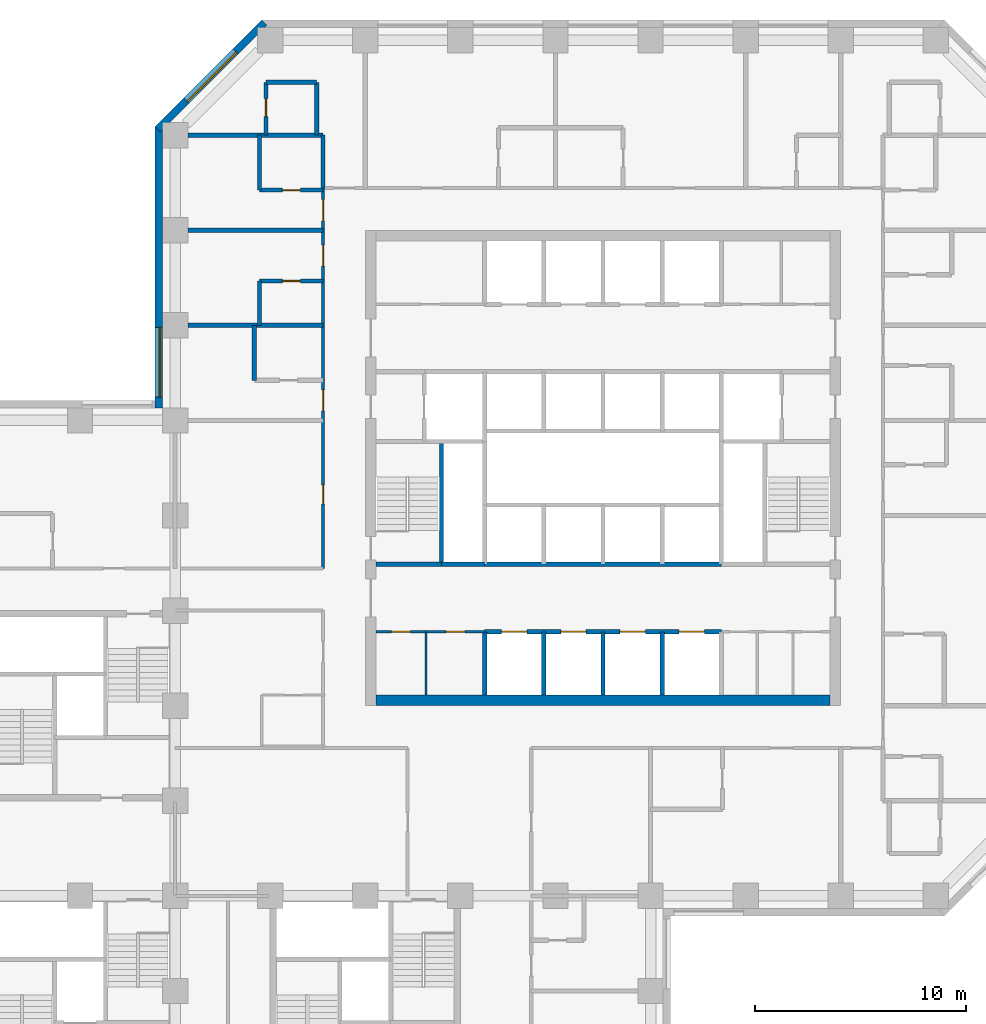
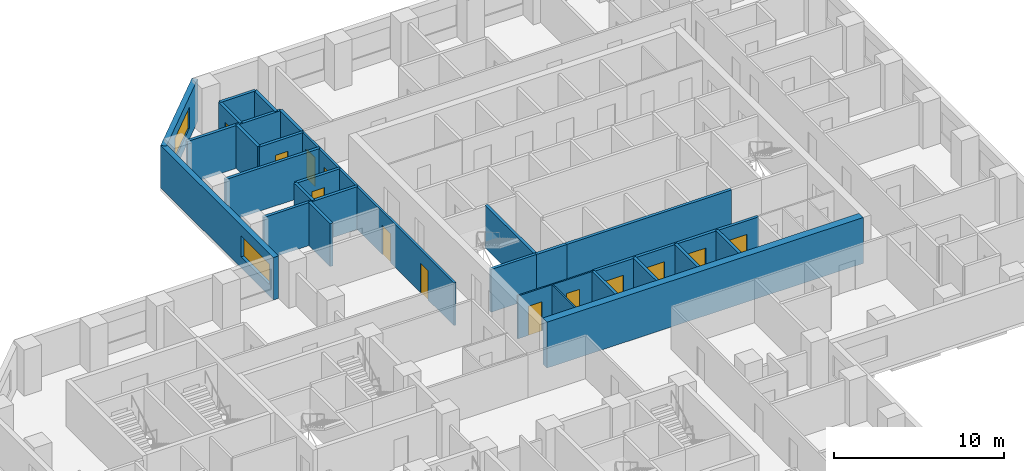
# One storey, part 7 of 12: 27 walls, 13 doors, 2 windows, 15 openings.
"""IFC4 building model written with IfcOpenShell, lengths in metres."""

from ifc_helpers import new_model, si_unit, direction, frame, frame_2d, origin, place, context, subcontext, project, spatial, rectangle, extrude, material, layer, layer_set, constituent, constituent_set, type_object, element, fill, save


model = new_model("IFC4")

# Units and contexts
model_context = context("Model", 3, precision=1e-05, world=origin(), true_north=direction((0.0, 1.0)))
body_context = subcontext(model_context, "Body", "Model", "MODEL_VIEW")
ifc_project = project(units=[si_unit("LENGTHUNIT", "METRE"), si_unit("AREAUNIT", "SQUARE_METRE"), si_unit("VOLUMEUNIT", "CUBIC_METRE"), si_unit("PLANEANGLEUNIT", "RADIAN"), si_unit("MASSUNIT", "GRAM", prefix="KILO")], contexts=[model_context])

# Site, building, storey
site_placement = place(None, origin())
site = spatial("IfcSite", under=ifc_project, at=site_placement, CompositionType="ELEMENT")
building_placement = place(site_placement, origin())
building = spatial("IfcBuilding", under=site, at=building_placement, Name="Quoin Convention Tower", CompositionType="ELEMENT")
storey_placement = place(building_placement, frame((0.0, 0.0, 29.699951171875)))
storey = spatial("IfcBuildingStorey", under=building, at=storey_placement, Name="L06", CompositionType="ELEMENT", Elevation=29.699951171875)

# Wall, opening, window
ifc_material_1 = material(Name="Brick masonry", Category="masonry")
ifc_layer_1 = layer(ifc_material_1, 0.35009765625)
ifc_layer_set_1 = layer_set([ifc_layer_1], Name="Brick masonry")
wall_type_1 = type_object("IfcWallType", Name="Brick facade wall", PredefinedType="STANDARD", material=ifc_layer_set_1)
wall_1_placement = place(storey_placement, frame((40.230224609375, 81.826416015625, 0.0), z_axis=(0.0, 0.0, 1.0), x_axis=(-0.707106781187, -0.707106781187, 0.0)))
wall_1 = element("IfcWall", 1, at=wall_1_placement, inside=storey, type_object=wall_type_1, Name="fw-L06-40500_81000", PredefinedType="STANDARD", context=body_context, shape_type="SweptSolid", body=[
    extrude(rectangle(XDim=7.151123046875, YDim=0.35009765625, at=frame_2d((3.57568359375, 0.0))), origin(), (0.0, 0.0, 1.0), 3.054931640625),
])
opening_1_placement = place(wall_1_placement, frame((1.925537109375, 0.0, 0.800048828125)))
opening_1 = element("IfcOpeningElement", 2, at=opening_1_placement, cuts=wall_1, Name="Opening W-01", PredefinedType="OPENING", context=body_context, shape_type="SweptSolid", body=[
    extrude(rectangle(XDim=3.300048828125, YDim=1.5, at=frame_2d((1.64990234375, 0.75))), frame((0.0, 0.18505859375, 0.0), z_axis=(0.0, -1.0, 0.0), x_axis=(1.0, 0.0, 0.0)), (0.0, 0.0, 1.0), 0.3701171875),
])
ifc_material_2 = material(Name="Aluminium", Category="aluminium")
ifc_constituent_1 = constituent(ifc_material_2, Name="Frame")
ifc_material_3 = material(Name="Insulated glass", Category="glass")
ifc_constituent_2 = constituent(ifc_material_3, Name="Glazing")
ifc_constituent_set = constituent_set(constituents=[ifc_constituent_1, ifc_constituent_2], Name="Aluminium")
window_type = type_object("IfcWindowType", Name="Hotel strip window", PartitioningType="DOUBLE_PANEL_VERTICAL", PredefinedType="WINDOW", material=ifc_constituent_set)
window_1_placement = place(opening_1_placement, origin())
window_1 = element("IfcWindow", 3, at=window_1_placement, inside=storey, type_object=window_type, Name="win-L06-37702_79298", OverallHeight=1.5, OverallWidth=3.300048828125, PartitioningType="SINGLE_PANEL", PredefinedType="WINDOW", context=body_context, shape_type="SweptSolid", body=[
    extrude(rectangle(XDim=3.300048828125, YDim=1.5, at=frame_2d((1.64990234375, 0.75))), frame((0.0, 0.0849609375, 0.0), z_axis=(0.0, -1.0, 0.0), x_axis=(1.0, 0.0, 0.0)), (0.0, 0.0, 1.0), 0.06005859375),
])
fill(opening_1, window_1)

wall_2_placement = place(storey_placement, frame((35.22509765625, 76.8935546875, 0.0), z_axis=(0.0, 0.0, 1.0), x_axis=(0.0, -1.0, 0.0)))
wall_2 = element("IfcWall", 4, at=wall_2_placement, inside=storey, type_object=wall_type_1, Name="fw-L06-36000_76500", PredefinedType="STANDARD", context=body_context, shape_type="SweptSolid", body=[
    extrude(rectangle(XDim=13.29345703125, YDim=0.35009765625, at=frame_2d((6.646728515625, 0.0))), origin(), (0.0, 0.0, 1.0), 3.054931640625),
])
opening_2_placement = place(wall_2_placement, frame((9.493408203125, 0.0, 0.800048828125)))
opening_2 = element("IfcOpeningElement", 5, at=opening_2_placement, cuts=wall_2, Name="Opening W-01", PredefinedType="OPENING", context=body_context, shape_type="SweptSolid", body=[
    extrude(rectangle(XDim=3.300048828125, YDim=1.5, at=frame_2d((1.64990234375, 0.75))), frame((0.0, 0.18505859375, 0.0), z_axis=(0.0, -1.0, 0.0), x_axis=(1.0, 0.0, 0.0)), (0.0, 0.0, 1.0), 0.3701171875),
])
window_2_placement = place(opening_2_placement, origin())
window_2 = element("IfcWindow", 6, at=window_2_placement, inside=storey, type_object=window_type, Name="win-L06-35225_65250", OverallHeight=1.5, OverallWidth=3.300048828125, PartitioningType="SINGLE_PANEL", PredefinedType="WINDOW", context=body_context, shape_type="SweptSolid", body=[
    extrude(rectangle(XDim=3.300048828125, YDim=1.5, at=frame_2d((1.64990234375, 0.75))), frame((0.0, 0.0849609375, 0.0), z_axis=(0.0, -1.0, 0.0), x_axis=(1.0, 0.0, 0.0)), (0.0, 0.0, 1.0), 0.06005859375),
])
fill(opening_2, window_2)

# Wall, openings, doors
ifc_material_4 = material(Name="Plasterboard")
ifc_layer_2 = layer(ifc_material_4, 0.012451171875, Name="Finish")
ifc_material_5 = material(Name="Steel stud framing", Category="steel")
ifc_layer_3 = layer(ifc_material_5, 0.074951171875, Name="Structure")
ifc_layer_4 = layer(ifc_material_4, 0.012451171875, Name="Finish")
ifc_layer_set_2 = layer_set([ifc_layer_2, ifc_layer_3, ifc_layer_4], Name="Steel stud framing")
wall_type_2 = type_object("IfcWallType", Name="Core partition wall", PredefinedType="PARTITIONING", material=ifc_layer_set_2)
wall_3_placement = place(storey_placement, frame((45.5, 53.0, 0.0), z_axis=(0.0, 0.0, 1.0), x_axis=(1.0, 0.0, 0.0)))
wall_3 = element("IfcWall", 7, at=wall_3_placement, inside=storey, type_object=wall_type_2, Name="cr-C1-L06-h3500_500", PredefinedType="PARTITIONING", context=body_context, shape_type="SweptSolid", body=[
    extrude(rectangle(XDim=5.14990234375, YDim=0.10009765625, at=frame_2d((2.574951171875, 0.0))), origin(), (0.0, 0.0, 1.0), 3.080078125),
])
opening_3_placement = place(wall_3_placement, frame((0.734619140625, 0.0, 0.0)))
opening_3 = element("IfcOpeningElement", 8, at=opening_3_placement, cuts=wall_3, Name="Opening DCV2-35", PredefinedType="OPENING", context=body_context, shape_type="SweptSolid", body=[
    extrude(rectangle(XDim=0.89990234375, YDim=2.10009765625, at=frame_2d((0.449951171875, 1.050048828125))), frame((0.0, 0.06005859375, 0.0), z_axis=(0.0, -1.0, 0.0), x_axis=(1.0, 0.0, 0.0)), (0.0, 0.0, 1.0), 0.1201171875),
])
opening_4_placement = place(wall_3_placement, frame((3.3095703125, 0.0, 0.0)))
opening_4 = element("IfcOpeningElement", 9, at=opening_4_placement, cuts=wall_3, Name="Opening DCV2-36", PredefinedType="OPENING", context=body_context, shape_type="SweptSolid", body=[
    extrude(rectangle(XDim=0.89990234375, YDim=2.10009765625, at=frame_2d((0.449951171875, 1.050048828125))), frame((0.0, 0.06005859375, 0.0), z_axis=(0.0, -1.0, 0.0), x_axis=(1.0, 0.0, 0.0)), (0.0, 0.0, 1.0), 0.1201171875),
])
ifc_material_6 = material(Name="Steel door leaf", Category="steel")
door_type_1 = type_object("IfcDoorType", Name="Core room door 900 x 2100", OperationType="SINGLE_SWING_LEFT", PredefinedType="DOOR", material=ifc_material_6)
door_1_placement = place(opening_3_placement, frame((0.89990234375, 0.0, 0.0), z_axis=(0.0, 0.0, 1.0), x_axis=(-1.0, 0.0, 0.0)))
door_1 = element("IfcDoor", 10, at=door_1_placement, inside=storey, type_object=door_type_1, Name="cd-C1-L06-CSW0-lobA-CD0613", OperationType="SINGLE_SWING_LEFT", OverallHeight=2.10009765625, OverallWidth=0.89990234375, PredefinedType="DOOR", context=body_context, shape_type="SweptSolid", body=[
    extrude(rectangle(XDim=0.89990234375, YDim=2.10009765625, at=frame_2d((0.449951171875, 1.050048828125))), frame((0.0, 0.02490234375, 0.0), z_axis=(0.0, -1.0, 0.0), x_axis=(1.0, 0.0, 0.0)), (0.0, 0.0, 1.0), 0.050048828125),
])
fill(opening_3, door_1)
door_2_placement = place(opening_4_placement, frame((0.89990234375, 0.0, 0.0), z_axis=(0.0, 0.0, 1.0), x_axis=(-1.0, 0.0, 0.0)))
door_2 = element("IfcDoor", 11, at=door_2_placement, inside=storey, type_object=door_type_1, Name="cd-C1-L06-CSW1-lobA-CD0614", OperationType="SINGLE_SWING_LEFT", OverallHeight=2.10009765625, OverallWidth=0.89990234375, PredefinedType="DOOR", context=body_context, shape_type="SweptSolid", body=[
    extrude(rectangle(XDim=0.89990234375, YDim=2.10009765625, at=frame_2d((0.449951171875, 1.050048828125))), frame((0.0, 0.02490234375, 0.0), z_axis=(0.0, -1.0, 0.0), x_axis=(1.0, 0.0, 0.0)), (0.0, 0.0, 1.0), 0.050048828125),
])
fill(opening_4, door_2)

# Wall
wall_4_placement = place(storey_placement, frame((47.868896484375, 50.0, 0.0), z_axis=(0.0, 0.0, 1.0), x_axis=(0.0, 1.0, 0.0)))
element("IfcWall", 12, at=wall_4_placement, inside=storey, type_object=wall_type_2, Name="cr-C1-L06-v2869_500", PredefinedType="PARTITIONING", context=body_context, shape_type="SweptSolid", body=[
    extrude(rectangle(XDim=3.0, YDim=0.10009765625, at=frame_2d((1.5, 0.0))), origin(), (0.0, 0.0, 1.0), 3.080078125),
])

# Wall, openings, doors
ifc_material_7 = material(Name="Concrete C50", Category="concrete")
ifc_layer_5 = layer(ifc_material_7, 0.199951171875)
ifc_layer_set_3 = layer_set([ifc_layer_5], Name="Concrete C50")
wall_type_3 = type_object("IfcWallType", Name="Core shaft wall", PredefinedType="SOLIDWALL", material=ifc_layer_set_3)
wall_5_placement = place(storey_placement, frame((50.64990234375, 53.0, 0.0), z_axis=(0.0, 0.0, 1.0), x_axis=(1.0, 0.0, 0.0)))
wall_5 = element("IfcWall", 13, at=wall_5_placement, inside=storey, type_object=wall_type_3, Name="cr-C1-L06-h3500_5650", PredefinedType="SOLIDWALL", context=body_context, shape_type="SweptSolid", body=[
    extrude(rectangle(XDim=11.2001953125, YDim=0.199951171875, at=frame_2d((5.60009765625, 0.0))), origin(), (0.0, 0.0, 1.0), 3.080078125),
])
opening_5_placement = place(wall_5_placement, frame((0.800048828125, 0.0, 0.0)))
opening_5 = element("IfcOpeningElement", 14, at=opening_5_placement, cuts=wall_5, Name="Opening LDL1", PredefinedType="OPENING", context=body_context, shape_type="SweptSolid", body=[
    extrude(rectangle(XDim=1.199951171875, YDim=2.10009765625, at=frame_2d((0.60009765625, 1.050048828125))), frame((0.0, 0.10986328125, 0.0), z_axis=(0.0, -1.0, 0.0), x_axis=(1.0, 0.0, 0.0)), (0.0, 0.0, 1.0), 0.219970703125),
])
opening_6_placement = place(wall_5_placement, frame((3.60009765625, 0.0, 0.0)))
opening_6 = element("IfcOpeningElement", 15, at=opening_6_placement, cuts=wall_5, Name="Opening LDL2", PredefinedType="OPENING", context=body_context, shape_type="SweptSolid", body=[
    extrude(rectangle(XDim=1.199951171875, YDim=2.10009765625, at=frame_2d((0.60009765625, 1.050048828125))), frame((0.0, 0.10986328125, 0.0), z_axis=(0.0, -1.0, 0.0), x_axis=(1.0, 0.0, 0.0)), (0.0, 0.0, 1.0), 0.219970703125),
])
opening_7_placement = place(wall_5_placement, frame((6.39990234375, 0.0, 0.0)))
opening_7 = element("IfcOpeningElement", 16, at=opening_7_placement, cuts=wall_5, Name="Opening LDL3", PredefinedType="OPENING", context=body_context, shape_type="SweptSolid", body=[
    extrude(rectangle(XDim=1.199951171875, YDim=2.10009765625, at=frame_2d((0.60009765625, 1.050048828125))), frame((0.0, 0.10986328125, 0.0), z_axis=(0.0, -1.0, 0.0), x_axis=(1.0, 0.0, 0.0)), (0.0, 0.0, 1.0), 0.219970703125),
])
opening_8_placement = place(wall_5_placement, frame((9.199951171875, 0.0, 0.0)))
opening_8 = element("IfcOpeningElement", 17, at=opening_8_placement, cuts=wall_5, Name="Opening LDL4", PredefinedType="OPENING", context=body_context, shape_type="SweptSolid", body=[
    extrude(rectangle(XDim=1.199951171875, YDim=2.10009765625, at=frame_2d((0.60009765625, 1.050048828125))), frame((0.0, 0.10986328125, 0.0), z_axis=(0.0, -1.0, 0.0), x_axis=(1.0, 0.0, 0.0)), (0.0, 0.0, 1.0), 0.219970703125),
])
door_type_2 = type_object("IfcDoorType", Name="Lift landing door 1200 x 2100", OperationType="DOUBLE_DOOR_SLIDING", PredefinedType="DOOR", material=ifc_material_6)
door_3_placement = place(opening_5_placement, origin())
door_3 = element("IfcDoor", 18, at=door_3_placement, inside=storey, type_object=door_type_2, Name="cd-C1-L06-R10-lobA-LDL1", OperationType="DOUBLE_DOOR_SLIDING", OverallHeight=2.10009765625, OverallWidth=1.199951171875, PredefinedType="DOOR", context=body_context, shape_type="SweptSolid", body=[
    extrude(rectangle(XDim=1.199951171875, YDim=2.10009765625, at=frame_2d((0.60009765625, 1.050048828125))), frame((0.0, 0.02490234375, 0.0), z_axis=(0.0, -1.0, 0.0), x_axis=(1.0, 0.0, 0.0)), (0.0, 0.0, 1.0), 0.050048828125),
])
fill(opening_5, door_3)
door_4_placement = place(opening_6_placement, origin())
door_4 = element("IfcDoor", 19, at=door_4_placement, inside=storey, type_object=door_type_2, Name="cd-C1-L06-R11-lobA-LDL2", OperationType="DOUBLE_DOOR_SLIDING", OverallHeight=2.10009765625, OverallWidth=1.199951171875, PredefinedType="DOOR", context=body_context, shape_type="SweptSolid", body=[
    extrude(rectangle(XDim=1.199951171875, YDim=2.10009765625, at=frame_2d((0.60009765625, 1.050048828125))), frame((0.0, 0.02490234375, 0.0), z_axis=(0.0, -1.0, 0.0), x_axis=(1.0, 0.0, 0.0)), (0.0, 0.0, 1.0), 0.050048828125),
])
fill(opening_6, door_4)
door_5_placement = place(opening_7_placement, origin())
door_5 = element("IfcDoor", 20, at=door_5_placement, inside=storey, type_object=door_type_2, Name="cd-C1-L06-R12-lobA-LDL3", OperationType="DOUBLE_DOOR_SLIDING", OverallHeight=2.10009765625, OverallWidth=1.199951171875, PredefinedType="DOOR", context=body_context, shape_type="SweptSolid", body=[
    extrude(rectangle(XDim=1.199951171875, YDim=2.10009765625, at=frame_2d((0.60009765625, 1.050048828125))), frame((0.0, 0.02490234375, 0.0), z_axis=(0.0, -1.0, 0.0), x_axis=(1.0, 0.0, 0.0)), (0.0, 0.0, 1.0), 0.050048828125),
])
fill(opening_7, door_5)
door_6_placement = place(opening_8_placement, origin())
door_6 = element("IfcDoor", 21, at=door_6_placement, inside=storey, type_object=door_type_2, Name="cd-C1-L06-R13-lobA-LDL4", OperationType="DOUBLE_DOOR_SLIDING", OverallHeight=2.10009765625, OverallWidth=1.199951171875, PredefinedType="DOOR", context=body_context, shape_type="SweptSolid", body=[
    extrude(rectangle(XDim=1.199951171875, YDim=2.10009765625, at=frame_2d((0.60009765625, 1.050048828125))), frame((0.0, 0.02490234375, 0.0), z_axis=(0.0, -1.0, 0.0), x_axis=(1.0, 0.0, 0.0)), (0.0, 0.0, 1.0), 0.050048828125),
])
fill(opening_8, door_6)

# Walls
wall_6_placement = place(storey_placement, frame((48.60009765625, 56.199951171875, 0.0), z_axis=(0.0, 0.0, 1.0), x_axis=(1.0, 0.0, 0.0)))
element("IfcWall", 22, at=wall_6_placement, inside=storey, type_object=wall_type_3, Name="cr-C1-L06-h6700_3600", PredefinedType="SOLIDWALL", context=body_context, shape_type="SweptSolid", body=[
    extrude(rectangle(XDim=2.0498046875, YDim=0.199951171875, at=frame_2d((1.02490234375, 0.0))), origin(), (0.0, 0.0, 1.0), 3.080078125),
])
wall_7_placement = place(storey_placement, frame((45.5, 56.199951171875, 0.0), z_axis=(0.0, 0.0, 1.0), x_axis=(1.0, 0.0, 0.0)))
element("IfcWall", 23, at=wall_7_placement, inside=storey, type_object=wall_type_3, Name="cr-C1-L06-h6700_500", PredefinedType="SOLIDWALL", context=body_context, shape_type="SweptSolid", body=[
    extrude(rectangle(XDim=3.10009765625, YDim=0.199951171875, at=frame_2d((1.550048828125, 0.0))), origin(), (0.0, 0.0, 1.0), 3.080078125),
])
wall_8_placement = place(storey_placement, frame((50.64990234375, 56.199951171875, 0.0), z_axis=(0.0, 0.0, 1.0), x_axis=(1.0, 0.0, 0.0)))
element("IfcWall", 24, at=wall_8_placement, inside=storey, type_object=wall_type_3, Name="cr-C1-L06-h6700_5650", PredefinedType="SOLIDWALL", context=body_context, shape_type="SweptSolid", body=[
    extrude(rectangle(XDim=11.2001953125, YDim=0.199951171875, at=frame_2d((5.60009765625, 0.0))), origin(), (0.0, 0.0, 1.0), 3.080078125),
])
wall_9_placement = place(storey_placement, frame((48.60009765625, 56.199951171875, 0.0), z_axis=(0.0, 0.0, 1.0), x_axis=(0.0, 1.0, 0.0)))
element("IfcWall", 25, at=wall_9_placement, inside=storey, type_object=wall_type_3, Name="cr-C1-L06-v3600_6700", PredefinedType="SOLIDWALL", context=body_context, shape_type="SweptSolid", body=[
    extrude(rectangle(XDim=5.800048828125, YDim=0.199951171875, at=frame_2d((2.89990234375, 0.0))), origin(), (0.0, 0.0, 1.0), 3.080078125),
])
for number, where, z_axis, x_axis, name in (
    (26, (50.64990234375, 50.0, 0.0), (0.0, 0.0, 1.0), (0.0, 1.0, 0.0), "cr-C1-L06-v5650_500"),
    (27, (53.449951171875, 50.0, 0.0), (0.0, 0.0, 1.0), (0.0, 1.0, 0.0), "cr-C1-L06-v8450_500"),
    (28, (56.25, 50.0, 0.0), (0.0, 0.0, 1.0), (0.0, 1.0, 0.0), "cr-C1-L06-v11250_500"),
    (29, (59.050048828125, 50.0, 0.0), (0.0, 0.0, 1.0), (0.0, 1.0, 0.0), "cr-C1-L06-v14050_500"),
):
    element("IfcWall", number, at=place(storey_placement, frame(where, z_axis=z_axis, x_axis=x_axis)), inside=storey, type_object=wall_type_3, Name=name, PredefinedType="SOLIDWALL", context=body_context, shape_type="SweptSolid", body=[
        extrude(rectangle(XDim=3.0, YDim=0.199951171875, at=frame_2d((1.5, 0.0))), origin(), (0.0, 0.0, 1.0), 3.080078125),
    ])
ifc_material_8 = material(Name="Concrete C80", Category="concrete")
ifc_layer_6 = layer(ifc_material_8, 0.5)
ifc_layer_set_4 = layer_set([ifc_layer_6], Name="Concrete C80")
wall_type_4 = type_object("IfcWallType", Name="RC CORE WALL 500 C80", PredefinedType="SHEAR", material=ifc_layer_set_4)
wall_10_placement = place(storey_placement, frame((45.5, 49.75, 0.0), z_axis=(0.0, 0.0, 1.0), x_axis=(1.0, 0.0, 0.0)))
element("IfcWall", 30, at=wall_10_placement, inside=storey, type_object=wall_type_4, Name="cwl-C1-L06-S", PredefinedType="SHEAR", context=body_context, shape_type="SweptSolid", body=[
    extrude(rectangle(XDim=21.5, YDim=0.5, at=frame_2d((10.75, 0.0))), origin(), (0.0, 0.0, 1.0), 3.300048828125),
])
ifc_layer_7 = layer(ifc_material_7, 0.199951171875)
ifc_layer_set_5 = layer_set([ifc_layer_7], Name="Concrete C50")
wall_type_5 = type_object("IfcWallType", Name="RC party wall", PredefinedType="SOLIDWALL", material=ifc_layer_set_5)
wall_11_placement = place(storey_placement, frame((39.75, 64.89990234375, 0.0), z_axis=(0.0, 0.0, 1.0), x_axis=(0.0, 1.0, 0.0)))
element("IfcWall", 31, at=wall_11_placement, inside=storey, type_object=wall_type_5, Name="pw-L06-111", PredefinedType="SOLIDWALL", context=body_context, shape_type="SweptSolid", body=[
    extrude(rectangle(XDim=2.60009765625, YDim=0.199951171875, at=frame_2d((1.300048828125, 0.0))), origin(), (0.0, 0.0, 1.0), 3.080078125),
])
wall_12_placement = place(storey_placement, frame((36.60009765625, 67.5, 0.0), z_axis=(0.0, 0.0, 1.0), x_axis=(1.0, 0.0, 0.0)))
element("IfcWall", 32, at=wall_12_placement, inside=storey, type_object=wall_type_5, Name="pw-L06-113", PredefinedType="SOLIDWALL", context=body_context, shape_type="SweptSolid", body=[
    extrude(rectangle(XDim=6.39990234375, YDim=0.199951171875, at=frame_2d((3.199951171875, 0.0))), origin(), (0.0, 0.0, 1.0), 3.080078125),
])
wall_13_placement = place(storey_placement, frame((40.0, 67.5, 0.0), z_axis=(0.0, 0.0, 1.0), x_axis=(0.0, 1.0, 0.0)))
element("IfcWall", 33, at=wall_13_placement, inside=storey, type_object=wall_type_5, Name="pw-L06-114", PredefinedType="SOLIDWALL", context=body_context, shape_type="SweptSolid", body=[
    extrude(rectangle(XDim=2.10009765625, YDim=0.199951171875, at=frame_2d((1.050048828125, 0.0))), origin(), (0.0, 0.0, 1.0), 3.080078125),
])

# Wall, opening, door
wall_14_placement = place(storey_placement, frame((40.0, 69.60009765625, 0.0), z_axis=(0.0, 0.0, 1.0), x_axis=(1.0, 0.0, 0.0)))
wall_14 = element("IfcWall", 34, at=wall_14_placement, inside=storey, type_object=wall_type_5, Name="pw-L06-116", PredefinedType="SOLIDWALL", context=body_context, shape_type="SweptSolid", body=[
    extrude(rectangle(XDim=3.0, YDim=0.199951171875, at=frame_2d((1.5, 0.0))), origin(), (0.0, 0.0, 1.0), 3.080078125),
])
opening_9_placement = place(wall_14_placement, frame((1.074951171875, 0.0, 0.0)))
opening_9 = element("IfcOpeningElement", 35, at=opening_9_placement, cuts=wall_14, Name="Opening DHOTEL-B-64", PredefinedType="OPENING", context=body_context, shape_type="SweptSolid", body=[
    extrude(rectangle(XDim=0.85009765625, YDim=2.10009765625, at=frame_2d((0.425048828125, 1.050048828125))), frame((0.0, 0.10986328125, 0.0), z_axis=(0.0, -1.0, 0.0), x_axis=(1.0, 0.0, 0.0)), (0.0, 0.0, 1.0), 0.219970703125),
])
door_type_3 = type_object("IfcDoorType", Name="Bathroom door", OperationType="SINGLE_SWING_LEFT", PredefinedType="DOOR", material=ifc_material_6)
door_7_placement = place(opening_9_placement, origin())
door_7 = element("IfcDoor", 36, at=door_7_placement, inside=storey, type_object=door_type_3, Name="dr-L06-034", OperationType="SINGLE_SWING_RIGHT", OverallHeight=2.10009765625, OverallWidth=0.85009765625, PredefinedType="DOOR", context=body_context, shape_type="SweptSolid", body=[
    extrude(rectangle(XDim=0.85009765625, YDim=2.10009765625, at=frame_2d((0.425048828125, 1.050048828125))), frame((0.0, 0.02490234375, 0.0), z_axis=(0.0, -1.0, 0.0), x_axis=(1.0, 0.0, 0.0)), (0.0, 0.0, 1.0), 0.050048828125),
])
fill(opening_9, door_7)

# Wall
wall_15_placement = place(storey_placement, frame((36.60009765625, 72.0, 0.0), z_axis=(0.0, 0.0, 1.0), x_axis=(1.0, 0.0, 0.0)))
element("IfcWall", 37, at=wall_15_placement, inside=storey, type_object=wall_type_5, Name="pw-L06-119", PredefinedType="SOLIDWALL", context=body_context, shape_type="SweptSolid", body=[
    extrude(rectangle(XDim=6.39990234375, YDim=0.199951171875, at=frame_2d((3.199951171875, 0.0))), origin(), (0.0, 0.0, 1.0), 3.080078125),
])

# Wall, opening, door
wall_16_placement = place(storey_placement, frame((40.0, 73.89990234375, 0.0), z_axis=(0.0, 0.0, 1.0), x_axis=(1.0, 0.0, 0.0)))
wall_16 = element("IfcWall", 38, at=wall_16_placement, inside=storey, type_object=wall_type_5, Name="pw-L06-121", PredefinedType="SOLIDWALL", context=body_context, shape_type="SweptSolid", body=[
    extrude(rectangle(XDim=3.0, YDim=0.199951171875, at=frame_2d((1.5, 0.0))), origin(), (0.0, 0.0, 1.0), 3.080078125),
])
opening_10_placement = place(wall_16_placement, frame((1.074951171875, 0.0, 0.0)))
opening_10 = element("IfcOpeningElement", 39, at=opening_10_placement, cuts=wall_16, Name="Opening DHOTEL-B-66", PredefinedType="OPENING", context=body_context, shape_type="SweptSolid", body=[
    extrude(rectangle(XDim=0.85009765625, YDim=2.10009765625, at=frame_2d((0.425048828125, 1.050048828125))), frame((0.0, 0.10986328125, 0.0), z_axis=(0.0, -1.0, 0.0), x_axis=(1.0, 0.0, 0.0)), (0.0, 0.0, 1.0), 0.219970703125),
])
door_8_placement = place(opening_10_placement, frame((0.85009765625, 0.0, 0.0), z_axis=(0.0, 0.0, 1.0), x_axis=(-1.0, 0.0, 0.0)))
door_8 = element("IfcDoor", 40, at=door_8_placement, inside=storey, type_object=door_type_3, Name="dr-L06-036", OperationType="SINGLE_SWING_LEFT", OverallHeight=2.10009765625, OverallWidth=0.85009765625, PredefinedType="DOOR", context=body_context, shape_type="SweptSolid", body=[
    extrude(rectangle(XDim=0.85009765625, YDim=2.10009765625, at=frame_2d((0.425048828125, 1.050048828125))), frame((0.0, 0.02490234375, 0.0), z_axis=(0.0, -1.0, 0.0), x_axis=(1.0, 0.0, 0.0)), (0.0, 0.0, 1.0), 0.050048828125),
])
fill(opening_10, door_8)

# Walls
wall_17_placement = place(storey_placement, frame((40.0, 73.89990234375, 0.0), z_axis=(0.0, 0.0, 1.0), x_axis=(0.0, 1.0, 0.0)))
element("IfcWall", 41, at=wall_17_placement, inside=storey, type_object=wall_type_5, Name="pw-L06-122", PredefinedType="SOLIDWALL", context=body_context, shape_type="SweptSolid", body=[
    extrude(rectangle(XDim=2.60009765625, YDim=0.199951171875, at=frame_2d((1.300048828125, 0.0))), origin(), (0.0, 0.0, 1.0), 3.080078125),
])
wall_18_placement = place(storey_placement, frame((43.0, 74.0, 0.0), z_axis=(0.0, 0.0, 1.0), x_axis=(0.0, 1.0, 0.0)))
element("IfcWall", 42, at=wall_18_placement, inside=storey, type_object=wall_type_5, Name="pw-L06-125", PredefinedType="SOLIDWALL", context=body_context, shape_type="SweptSolid", body=[
    extrude(rectangle(XDim=2.5, YDim=0.199951171875, at=frame_2d((1.25, 0.0))), origin(), (0.0, 0.0, 1.0), 3.080078125),
])
wall_19_placement = place(storey_placement, frame((36.60009765625, 76.5, 0.0), z_axis=(0.0, 0.0, 1.0), x_axis=(1.0, 0.0, 0.0)))
element("IfcWall", 43, at=wall_19_placement, inside=storey, type_object=wall_type_5, Name="pw-L06-134", PredefinedType="SOLIDWALL", context=body_context, shape_type="SweptSolid", body=[
    extrude(rectangle(XDim=6.39990234375, YDim=0.199951171875, at=frame_2d((3.199951171875, 0.0))), origin(), (0.0, 0.0, 1.0), 3.080078125),
])

# Wall, opening, door
wall_20_placement = place(storey_placement, frame((40.300048828125, 76.5, 0.0), z_axis=(0.0, 0.0, 1.0), x_axis=(0.0, 1.0, 0.0)))
wall_20 = element("IfcWall", 44, at=wall_20_placement, inside=storey, type_object=wall_type_5, Name="pw-L06-135", PredefinedType="SOLIDWALL", context=body_context, shape_type="SweptSolid", body=[
    extrude(rectangle(XDim=2.5, YDim=0.199951171875, at=frame_2d((1.25, 0.0))), origin(), (0.0, 0.0, 1.0), 3.080078125),
])
opening_11_placement = place(wall_20_placement, frame((0.875, 0.0, 0.0)))
opening_11 = element("IfcOpeningElement", 45, at=opening_11_placement, cuts=wall_20, Name="Opening DHOTEL-B-71", PredefinedType="OPENING", context=body_context, shape_type="SweptSolid", body=[
    extrude(rectangle(XDim=0.85009765625, YDim=2.10009765625, at=frame_2d((0.425048828125, 1.050048828125))), frame((0.0, 0.10986328125, 0.0), z_axis=(0.0, -1.0, 0.0), x_axis=(1.0, 0.0, 0.0)), (0.0, 0.0, 1.0), 0.219970703125),
])
door_9_placement = place(opening_11_placement, origin())
door_9 = element("IfcDoor", 46, at=door_9_placement, inside=storey, type_object=door_type_3, Name="dr-L06-064", OperationType="SINGLE_SWING_RIGHT", OverallHeight=2.10009765625, OverallWidth=0.85009765625, PredefinedType="DOOR", context=body_context, shape_type="SweptSolid", body=[
    extrude(rectangle(XDim=0.85009765625, YDim=2.10009765625, at=frame_2d((0.425048828125, 1.050048828125))), frame((0.0, 0.02490234375, 0.0), z_axis=(0.0, -1.0, 0.0), x_axis=(1.0, 0.0, 0.0)), (0.0, 0.0, 1.0), 0.050048828125),
])
fill(opening_11, door_9)

# Walls
wall_21_placement = place(storey_placement, frame((42.699951171875, 76.5, 0.0), z_axis=(0.0, 0.0, 1.0), x_axis=(0.0, 1.0, 0.0)))
element("IfcWall", 47, at=wall_21_placement, inside=storey, type_object=wall_type_5, Name="pw-L06-136", PredefinedType="SOLIDWALL", context=body_context, shape_type="SweptSolid", body=[
    extrude(rectangle(XDim=2.5, YDim=0.199951171875, at=frame_2d((1.25, 0.0))), origin(), (0.0, 0.0, 1.0), 3.080078125),
])
wall_22_placement = place(storey_placement, frame((40.300048828125, 79.0, 0.0), z_axis=(0.0, 0.0, 1.0), x_axis=(1.0, 0.0, 0.0)))
element("IfcWall", 48, at=wall_22_placement, inside=storey, type_object=wall_type_5, Name="pw-L06-142", PredefinedType="SOLIDWALL", context=body_context, shape_type="SweptSolid", body=[
    extrude(rectangle(XDim=2.39990234375, YDim=0.199951171875, at=frame_2d((1.199951171875, 0.0))), origin(), (0.0, 0.0, 1.0), 3.080078125),
])

# Wall, openings, doors
ifc_layer_8 = layer(ifc_material_4, 0.012451171875, Name="Finish")
ifc_layer_9 = layer(ifc_material_5, 0.125, Name="Structure")
ifc_layer_10 = layer(ifc_material_4, 0.012451171875, Name="Finish")
ifc_layer_set_6 = layer_set([ifc_layer_8, ifc_layer_9, ifc_layer_10], Name="Steel stud framing")
wall_type_6 = type_object("IfcWallType", Name="corridor partition", PredefinedType="PARTITIONING", material=ifc_layer_set_6)
wall_23_placement = place(storey_placement, frame((43.0, 56.0, 0.0), z_axis=(0.0, 0.0, 1.0), x_axis=(0.0, 1.0, 0.0)))
wall_23 = element("IfcWall", 49, at=wall_23_placement, inside=storey, type_object=wall_type_6, Name="pw-L06-035", PredefinedType="PARTITIONING", context=body_context, shape_type="SweptSolid", body=[
    extrude(rectangle(XDim=18.0, YDim=0.14990234375, at=frame_2d((9.0, 0.0))), origin(), (0.0, 0.0, 1.0), 3.080078125),
])
opening_12_placement = place(wall_23_placement, frame((7.449951171875, 0.0, 0.0)))
opening_12 = element("IfcOpeningElement", 50, at=opening_12_placement, cuts=wall_23, Name="Opening DHOTEL-B-34", PredefinedType="OPENING", context=body_context, shape_type="SweptSolid", body=[
    extrude(rectangle(XDim=1.0, YDim=2.10009765625, at=frame_2d((0.5, 1.050048828125))), frame((0.0, 0.0849609375, 0.0), z_axis=(0.0, -1.0, 0.0), x_axis=(1.0, 0.0, 0.0)), (0.0, 0.0, 1.0), 0.169921875),
])
opening_13_placement = place(wall_23_placement, frame((14.300048828125, 0.0, 0.0)))
opening_13 = element("IfcOpeningElement", 51, at=opening_13_placement, cuts=wall_23, Name="Opening DHOTEL-B-35", PredefinedType="OPENING", context=body_context, shape_type="SweptSolid", body=[
    extrude(rectangle(XDim=1.0, YDim=2.10009765625, at=frame_2d((0.5, 1.050048828125))), frame((0.0, 0.0849609375, 0.0), z_axis=(0.0, -1.0, 0.0), x_axis=(1.0, 0.0, 0.0)), (0.0, 0.0, 1.0), 0.169921875),
])
opening_14_placement = place(wall_23_placement, frame((16.449951171875, 0.0, 0.0)))
opening_14 = element("IfcOpeningElement", 52, at=opening_14_placement, cuts=wall_23, Name="Opening DHOTEL-B-36", PredefinedType="OPENING", context=body_context, shape_type="SweptSolid", body=[
    extrude(rectangle(XDim=1.0, YDim=2.10009765625, at=frame_2d((0.5, 1.050048828125))), frame((0.0, 0.0849609375, 0.0), z_axis=(0.0, -1.0, 0.0), x_axis=(1.0, 0.0, 0.0)), (0.0, 0.0, 1.0), 0.169921875),
])
opening_15_placement = place(wall_23_placement, frame((3.050048828125, 0.0, 0.0)))
opening_15 = element("IfcOpeningElement", 53, at=opening_15_placement, cuts=wall_23, Name="Opening DHOTEL-B-33", PredefinedType="OPENING", context=body_context, shape_type="SweptSolid", body=[
    extrude(rectangle(XDim=0.89990234375, YDim=2.10009765625, at=frame_2d((0.449951171875, 1.050048828125))), frame((0.0, 0.0849609375, 0.0), z_axis=(0.0, -1.0, 0.0), x_axis=(1.0, 0.0, 0.0)), (0.0, 0.0, 1.0), 0.169921875),
])
door_type_4 = type_object("IfcDoorType", Name="Hotel room door", OperationType="SINGLE_SWING_LEFT", PredefinedType="DOOR", material=ifc_material_6)
door_10_placement = place(opening_12_placement, origin())
door_10 = element("IfcDoor", 54, at=door_10_placement, inside=storey, type_object=door_type_4, Name="dr-L06-031", OperationType="SINGLE_SWING_RIGHT", OverallHeight=2.10009765625, OverallWidth=1.0, PredefinedType="DOOR", context=body_context, shape_type="SweptSolid", body=[
    extrude(rectangle(XDim=1.0, YDim=2.10009765625, at=frame_2d((0.5, 1.050048828125))), frame((0.0, 0.02490234375, 0.0), z_axis=(0.0, -1.0, 0.0), x_axis=(1.0, 0.0, 0.0)), (0.0, 0.0, 1.0), 0.050048828125),
])
fill(opening_12, door_10)
door_11_placement = place(opening_13_placement, origin())
door_11 = element("IfcDoor", 55, at=door_11_placement, inside=storey, type_object=door_type_4, Name="dr-L06-033", OperationType="SINGLE_SWING_RIGHT", OverallHeight=2.10009765625, OverallWidth=1.0, PredefinedType="DOOR", context=body_context, shape_type="SweptSolid", body=[
    extrude(rectangle(XDim=1.0, YDim=2.10009765625, at=frame_2d((0.5, 1.050048828125))), frame((0.0, 0.02490234375, 0.0), z_axis=(0.0, -1.0, 0.0), x_axis=(1.0, 0.0, 0.0)), (0.0, 0.0, 1.0), 0.050048828125),
])
fill(opening_13, door_11)
door_12_placement = place(opening_14_placement, origin())
door_12 = element("IfcDoor", 56, at=door_12_placement, inside=storey, type_object=door_type_4, Name="dr-L06-035", OperationType="SINGLE_SWING_RIGHT", OverallHeight=2.10009765625, OverallWidth=1.0, PredefinedType="DOOR", context=body_context, shape_type="SweptSolid", body=[
    extrude(rectangle(XDim=1.0, YDim=2.10009765625, at=frame_2d((0.5, 1.050048828125))), frame((0.0, 0.02490234375, 0.0), z_axis=(0.0, -1.0, 0.0), x_axis=(1.0, 0.0, 0.0)), (0.0, 0.0, 1.0), 0.050048828125),
])
fill(opening_14, door_12)
door_type_5 = type_object("IfcDoorType", Name="Single room door", OperationType="SINGLE_SWING_RIGHT", PredefinedType="DOOR", material=ifc_material_6)
door_13_placement = place(opening_15_placement, origin())
door_13 = element("IfcDoor", 57, at=door_13_placement, inside=storey, type_object=door_type_5, Name="dr-L06-075", OperationType="SINGLE_SWING_RIGHT", OverallHeight=2.10009765625, OverallWidth=0.89990234375, PredefinedType="DOOR", context=body_context, shape_type="SweptSolid", body=[
    extrude(rectangle(XDim=0.89990234375, YDim=2.10009765625, at=frame_2d((0.449951171875, 1.050048828125))), frame((0.0, 0.02490234375, 0.0), z_axis=(0.0, -1.0, 0.0), x_axis=(1.0, 0.0, 0.0)), (0.0, 0.0, 1.0), 0.050048828125),
])
fill(opening_15, door_13)

save(model, "model.ifc")
